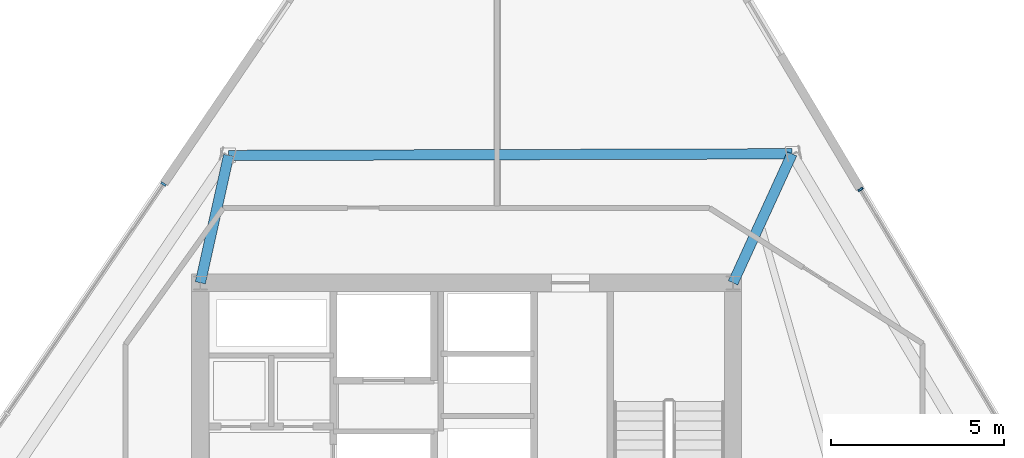
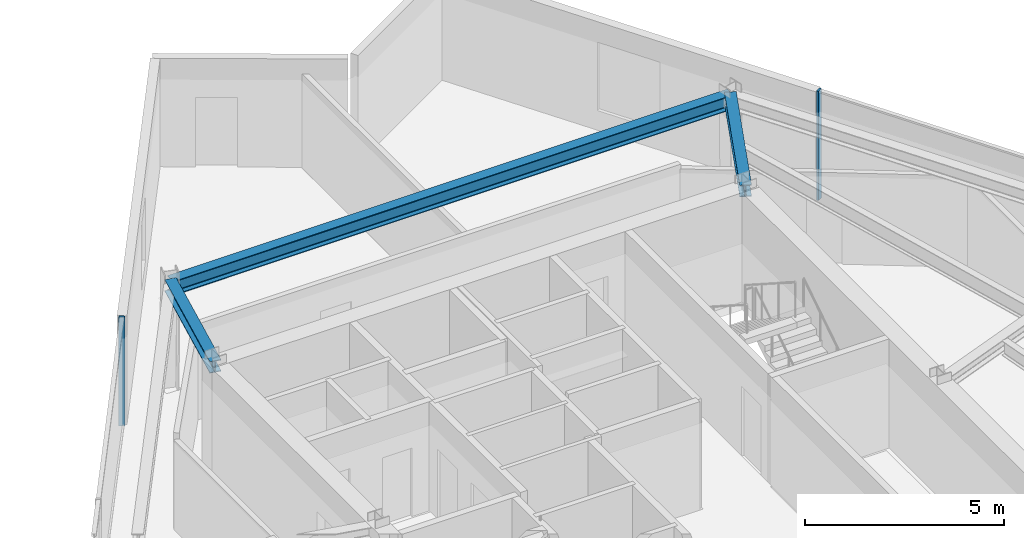
# One storey, part 7 of 16: 3 beams, 2 members, 2 elements without a shape of their own.
"""IFC4 building model written with IfcOpenShell, lengths in metres."""

from ifc_helpers import new_model, si_unit, direction, frame, origin, origin_2d, place, context, subcontext, project, spatial, rectangle, i_section, extrude, material, material_profile, profile_set, type_object, element, aggregate, save


model = new_model("IFC4")

# Units and contexts
model_context = context("Model", 3, precision=1e-05, world=origin(), true_north=direction((0.0, 1.0)))
body_context = subcontext(model_context, "Body", "Model", "MODEL_VIEW")
ifc_project = project(units=[si_unit("LENGTHUNIT", "METRE"), si_unit("AREAUNIT", "SQUARE_METRE"), si_unit("VOLUMEUNIT", "CUBIC_METRE"), si_unit("PLANEANGLEUNIT", "RADIAN"), si_unit("MASSUNIT", "GRAM", prefix="KILO")], contexts=[model_context])

# Site, building, storey
site_placement = place(None, origin())
site = spatial("IfcSite", under=ifc_project, at=site_placement, CompositionType="ELEMENT")
building_placement = place(site_placement, origin())
building = spatial("IfcBuilding", under=site, at=building_placement, Name="Savorim Split Tower", CompositionType="ELEMENT")
storey_placement = place(building_placement, frame((0.0, 0.0, 153.0)))
storey = spatial("IfcBuildingStorey", under=building, at=storey_placement, Name="L40", CompositionType="ELEMENT", Elevation=153.0)

# Beams
ifc_material_1 = material(Name="Steel S355", Category="steel")
ifc_material_profile_1 = material_profile(ifc_material_1, i_section(OverallWidth=0.300048828125, OverallDepth=0.360107421875, WebThickness=0.012451171875, FlangeThickness=0.0224609375, FilletRadius=0.027099609375, at=origin_2d()), Name="HEB 360")
ifc_profile_set_1 = profile_set([ifc_material_profile_1], Name="Steel S355")
beam_type_1 = type_object("IfcBeamType", Name="BM-PRI-HEB360", PredefinedType="BEAM", material=ifc_profile_set_1)
beam_1_placement = place(storey_placement, frame((9.40625, 13.929931640625, 3.169921875), z_axis=(-0.415994656758, -0.909367057655, 0.0), x_axis=(0.909367057655, -0.415994656758, 0.0)))
element("IfcBeam", 1, at=beam_1_placement, inside=storey, type_object=beam_type_1, Name="L40 Primary Floor Girder RG-07", PredefinedType="BEAM", context=body_context, shape_type="SweptSolid", body=[
    extrude(i_section(OverallWidth=0.300048828125, OverallDepth=0.360107421875, WebThickness=0.012451171875, FlangeThickness=0.0224609375, FilletRadius=0.027099609375, at=origin_2d()), origin(), (0.0, 0.0, 1.0), 4.101806640625),
])
beam_2_placement = place(storey_placement, frame((-6.883056640625, 13.881103515625, 3.169921875), z_axis=(-0.216642515922, -0.976251002711, 0.0), x_axis=(0.976251002711, -0.216642515922, 0.0)))
element("IfcBeam", 2, at=beam_2_placement, inside=storey, type_object=beam_type_1, Name="L40 Primary Floor Girder RG-08", PredefinedType="BEAM", context=body_context, shape_type="SweptSolid", body=[
    extrude(i_section(OverallWidth=0.300048828125, OverallDepth=0.360107421875, WebThickness=0.012451171875, FlangeThickness=0.0224609375, FilletRadius=0.027099609375, at=origin_2d()), origin(), (0.0, 0.0, 1.0), 3.770751953125),
])
ifc_material_profile_2 = material_profile(ifc_material_1, i_section(OverallWidth=0.300048828125, OverallDepth=0.43994140625, WebThickness=0.011474609375, FlangeThickness=0.02099609375, FilletRadius=0.027099609375, at=origin_2d()), Name="HEA 450")
ifc_profile_set_2 = profile_set([ifc_material_profile_2], Name="Steel S355")
beam_type_2 = type_object("IfcBeamType", Name="BM-SPN-HEA450", PredefinedType="SPANDREL", material=ifc_profile_set_2)
beam_3_placement = place(storey_placement, frame((9.40625, 13.929931640625, 3.1298828125), z_axis=(-0.999995507356, -0.002997543524, 0.0), x_axis=(0.002997543524, -0.999995507356, 0.0)))
element("IfcBeam", 3, at=beam_3_placement, inside=storey, type_object=beam_type_2, Name="L40 Perimeter Spandrel Beam 7", PredefinedType="SPANDREL", context=body_context, shape_type="SweptSolid", body=[
    extrude(i_section(OverallWidth=0.300048828125, OverallDepth=0.43994140625, WebThickness=0.011474609375, FlangeThickness=0.02099609375, FilletRadius=0.027099609375, at=origin_2d()), origin(), (0.0, 0.0, 1.0), 16.289306640625),
])

# Curtain wall, member
ifc_material_2 = material(Name="Dark Ceramic-Fritted Insulated Glass", Category="glass")
curtain_wall_type = type_object("IfcCurtainWallType", Name="CW-TWR-FRIT-B", PredefinedType="NOTDEFINED", material=ifc_material_2)
curtain_wall_1_placement = place(storey_placement, origin())
curtain_wall_1 = element("IfcCurtainWall", 4, at=curtain_wall_1_placement, inside=storey, type_object=curtain_wall_type, Name="L40 Curtain Wall CW-L40-EAST", PredefinedType="NOTDEFINED")
ifc_material_3 = material(Name="Charcoal Anodised Aluminium", Category="aluminium")
ifc_material_profile_3 = material_profile(ifc_material_3, rectangle(XDim=0.159912109375, YDim=0.06005859375, at=origin_2d()), Name="ALU-M 160x60")
ifc_profile_set_3 = profile_set([ifc_material_profile_3], Name="Charcoal Anodised Aluminium")
member_type = type_object("IfcMemberType", Name="CWM-160x60", PredefinedType="MULLION", material=ifc_profile_set_3)
member_1_placement = place(storey_placement, frame((11.3857421875, 12.900390625, 0.0), z_axis=(0.0, 0.0, 1.0), x_axis=(-0.859526328423, -0.511091470039, 0.0)))
member_1 = element("IfcMember", 5, at=member_1_placement, type_object=member_type, Name="CW-03 mullion 5", PredefinedType="MULLION", context=body_context, shape_type="SweptSolid", body=[
    extrude(rectangle(XDim=0.159912109375, YDim=0.06005859375, at=origin_2d()), origin(), (0.0, 0.0, 1.0), 3.35009765625),
])
aggregate(curtain_wall_1, [member_1])

curtain_wall_2_placement = place(storey_placement, origin())
curtain_wall_2 = element("IfcCurtainWall", 6, at=curtain_wall_2_placement, inside=storey, type_object=curtain_wall_type, Name="L40 Curtain Wall CW-L40-WEST", PredefinedType="NOTDEFINED")
member_2_placement = place(storey_placement, frame((-8.767333984375, 13.05615234375, 0.0), z_axis=(0.0, 0.0, 1.0), x_axis=(0.826820104662, -0.562466456356, 0.0)))
member_2 = element("IfcMember", 7, at=member_2_placement, type_object=member_type, Name="CW-03 mullion 1", PredefinedType="MULLION", context=body_context, shape_type="SweptSolid", body=[
    extrude(rectangle(XDim=0.159912109375, YDim=0.06005859375, at=origin_2d()), origin(), (0.0, 0.0, 1.0), 3.35009765625),
])
aggregate(curtain_wall_2, [member_2])

save(model, "model.ifc")
